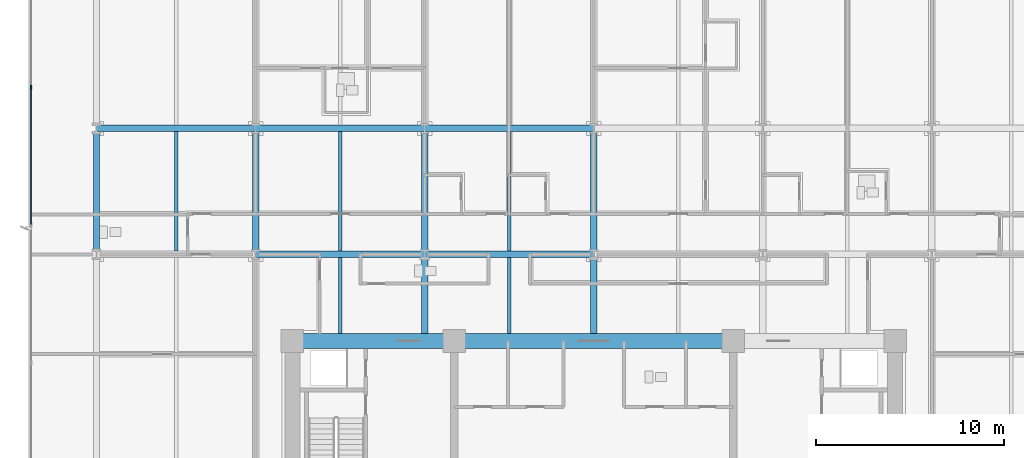
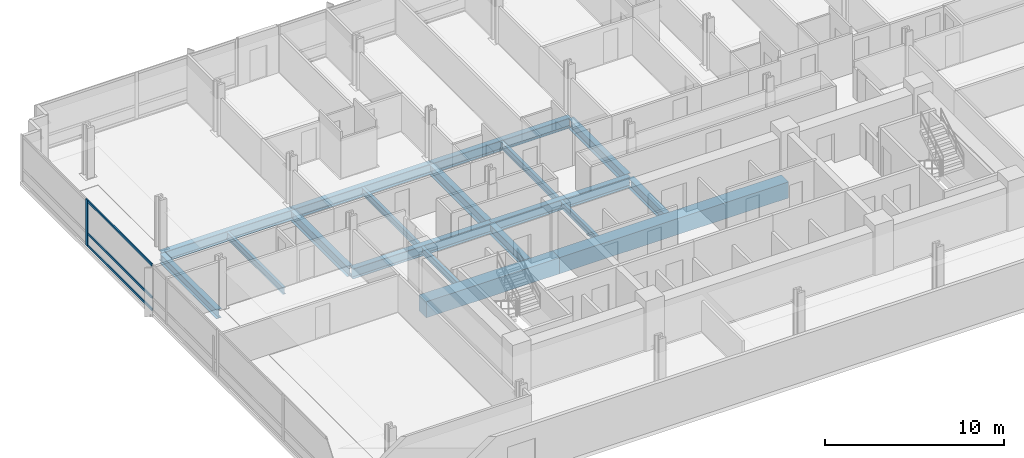
# One storey, part 3 of 15: 18 beams, 4 members, 1 element without a shape of its own.
"""IFC4 building model written with IfcOpenShell, lengths in metres."""

from ifc_helpers import new_model, si_unit, direction, frame, origin, origin_2d, place, context, subcontext, project, spatial, rectangle, i_section, extrude, material, material_profile, profile_set, type_object, element, aggregate, save


model = new_model("IFC4")

# Units and contexts
model_context = context("Model", 3, precision=1e-05, world=origin(), true_north=direction((0.0, 1.0)))
body_context = subcontext(model_context, "Body", "Model", "MODEL_VIEW")
ifc_project = project(units=[si_unit("LENGTHUNIT", "METRE"), si_unit("AREAUNIT", "SQUARE_METRE"), si_unit("VOLUMEUNIT", "CUBIC_METRE"), si_unit("PLANEANGLEUNIT", "RADIAN"), si_unit("MASSUNIT", "GRAM", prefix="KILO")], contexts=[model_context])

# Site, building, storey
site_placement = place(None, origin())
site = spatial("IfcSite", under=ifc_project, at=site_placement, CompositionType="ELEMENT")
building_placement = place(site_placement, origin())
building = spatial("IfcBuilding", under=site, at=building_placement, Name="Solmavex Isthmus Hotel", CompositionType="ELEMENT")
storey_placement = place(building_placement, frame((0.0, 0.0, 64.35009765625)))
storey = spatial("IfcBuildingStorey", under=building, at=storey_placement, Name="L17", CompositionType="ELEMENT", Elevation=64.35009765625)

# Beams
ifc_material_1 = material(Name="Steel ASTM A992 Grade 50", Category="steel")
ifc_material_profile_1 = material_profile(ifc_material_1, i_section(OverallWidth=0.354736328125, OverallDepth=0.695556640625, WebThickness=0.015380859375, FlangeThickness=0.02490234375, FilletRadius=0.017822265625, at=origin_2d()), Name="W27X146")
ifc_profile_set_1 = profile_set([ifc_material_profile_1], Name="Steel ASTM A992 Grade 50")
beam_type_1 = type_object("IfcBeamType", Name="BM-BG-W27X146", PredefinedType="BEAM", material=ifc_profile_set_1)
beam_1_placement = place(storey_placement, frame((-17.951904296875, 2.10009765625, -0.60791015625), z_axis=(1.0, 0.0, 0.0), x_axis=(0.0, 1.0, 0.0)))
element("IfcBeam", 1, at=beam_1_placement, inside=storey, type_object=beam_type_1, Name="Floor Girder L17-UG08", PredefinedType="BEAM", context=body_context, shape_type="SweptSolid", body=[
    extrude(i_section(OverallWidth=0.354736328125, OverallDepth=0.695556640625, WebThickness=0.015380859375, FlangeThickness=0.02490234375, FilletRadius=0.017822265625, at=origin_2d()), origin(), (0.0, 0.0, 1.0), 8.975830078125),
])
beam_2_placement = place(storey_placement, frame((-8.97607421875, 2.10009765625, -0.60791015625), z_axis=(1.0, 0.0, 0.0), x_axis=(0.0, 1.0, 0.0)))
element("IfcBeam", 2, at=beam_2_placement, inside=storey, type_object=beam_type_1, Name="Floor Girder L17-UG09", PredefinedType="BEAM", context=body_context, shape_type="SweptSolid", body=[
    extrude(i_section(OverallWidth=0.354736328125, OverallDepth=0.695556640625, WebThickness=0.015380859375, FlangeThickness=0.02490234375, FilletRadius=0.017822265625, at=origin_2d()), origin(), (0.0, 0.0, 1.0), 8.97607421875),
])
beam_3_placement = place(storey_placement, frame((-26.39990234375, 8.7880859375, -0.60791015625), z_axis=(1.0, 0.0, 0.0), x_axis=(0.0, 1.0, 0.0)))
element("IfcBeam", 3, at=beam_3_placement, inside=storey, type_object=beam_type_1, Name="Floor Girder L17-UG13", PredefinedType="BEAM", context=body_context, shape_type="SweptSolid", body=[
    extrude(i_section(OverallWidth=0.354736328125, OverallDepth=0.695556640625, WebThickness=0.015380859375, FlangeThickness=0.02490234375, FilletRadius=0.017822265625, at=origin_2d()), origin(), (0.0, 0.0, 1.0), 8.447998046875),
])
beam_4_placement = place(storey_placement, frame((-17.951904296875, 8.7880859375, -0.60791015625), z_axis=(1.0, 0.0, 0.0), x_axis=(0.0, 1.0, 0.0)))
element("IfcBeam", 4, at=beam_4_placement, inside=storey, type_object=beam_type_1, Name="Floor Girder L17-UG14", PredefinedType="BEAM", context=body_context, shape_type="SweptSolid", body=[
    extrude(i_section(OverallWidth=0.354736328125, OverallDepth=0.695556640625, WebThickness=0.015380859375, FlangeThickness=0.02490234375, FilletRadius=0.017822265625, at=origin_2d()), origin(), (0.0, 0.0, 1.0), 8.975830078125),
])
beam_5_placement = place(storey_placement, frame((-8.97607421875, 8.7880859375, -0.60791015625), z_axis=(1.0, 0.0, 0.0), x_axis=(0.0, 1.0, 0.0)))
element("IfcBeam", 5, at=beam_5_placement, inside=storey, type_object=beam_type_1, Name="Floor Girder L17-UG15", PredefinedType="BEAM", context=body_context, shape_type="SweptSolid", body=[
    extrude(i_section(OverallWidth=0.354736328125, OverallDepth=0.695556640625, WebThickness=0.015380859375, FlangeThickness=0.02490234375, FilletRadius=0.017822265625, at=origin_2d()), origin(), (0.0, 0.0, 1.0), 8.97607421875),
])
beam_6_placement = place(storey_placement, frame((-17.951904296875, 2.27734375, -0.60791015625), z_axis=(0.0, 1.0, 0.0), x_axis=(-1.0, 0.0, 0.0)))
element("IfcBeam", 6, at=beam_6_placement, inside=storey, type_object=beam_type_1, Name="Floor Beam L17-VG29", PredefinedType="BEAM", context=body_context, shape_type="SweptSolid", body=[
    extrude(i_section(OverallWidth=0.354736328125, OverallDepth=0.695556640625, WebThickness=0.015380859375, FlangeThickness=0.02490234375, FilletRadius=0.017822265625, at=origin_2d()), origin(), (0.0, 0.0, 1.0), 6.333251953125),
])
beam_7_placement = place(storey_placement, frame((-8.97607421875, -2.10009765625, -0.60791015625), z_axis=(0.0, 1.0, 0.0), x_axis=(-1.0, 0.0, 0.0)))
element("IfcBeam", 7, at=beam_7_placement, inside=storey, type_object=beam_type_1, Name="Floor Beam L17-VG32", PredefinedType="BEAM", context=body_context, shape_type="SweptSolid", body=[
    extrude(i_section(OverallWidth=0.354736328125, OverallDepth=0.695556640625, WebThickness=0.015380859375, FlangeThickness=0.02490234375, FilletRadius=0.017822265625, at=origin_2d()), origin(), (0.0, 0.0, 1.0), 4.022705078125),
])
beam_8_placement = place(storey_placement, frame((-8.97607421875, 2.27734375, -0.60791015625), z_axis=(0.0, 1.0, 0.0), x_axis=(-1.0, 0.0, 0.0)))
element("IfcBeam", 8, at=beam_8_placement, inside=storey, type_object=beam_type_1, Name="Floor Beam L17-VG33", PredefinedType="BEAM", context=body_context, shape_type="SweptSolid", body=[
    extrude(i_section(OverallWidth=0.354736328125, OverallDepth=0.695556640625, WebThickness=0.015380859375, FlangeThickness=0.02490234375, FilletRadius=0.017822265625, at=origin_2d()), origin(), (0.0, 0.0, 1.0), 6.333251953125),
])
beam_9_placement = place(storey_placement, frame((0.0, -2.10009765625, -0.60791015625), z_axis=(0.0, 1.0, 0.0), x_axis=(-1.0, 0.0, 0.0)))
element("IfcBeam", 9, at=beam_9_placement, inside=storey, type_object=beam_type_1, Name="Floor Beam L17-VG36", PredefinedType="BEAM", context=body_context, shape_type="SweptSolid", body=[
    extrude(i_section(OverallWidth=0.354736328125, OverallDepth=0.695556640625, WebThickness=0.015380859375, FlangeThickness=0.02490234375, FilletRadius=0.017822265625, at=origin_2d()), origin(), (0.0, 0.0, 1.0), 4.022705078125),
])
beam_10_placement = place(storey_placement, frame((0.0, 2.27734375, -0.60791015625), z_axis=(0.0, 1.0, 0.0), x_axis=(-1.0, 0.0, 0.0)))
element("IfcBeam", 10, at=beam_10_placement, inside=storey, type_object=beam_type_1, Name="Floor Beam L17-VG37", PredefinedType="BEAM", context=body_context, shape_type="SweptSolid", body=[
    extrude(i_section(OverallWidth=0.354736328125, OverallDepth=0.695556640625, WebThickness=0.015380859375, FlangeThickness=0.02490234375, FilletRadius=0.017822265625, at=origin_2d()), origin(), (0.0, 0.0, 1.0), 6.333251953125),
])
ifc_material_profile_2 = material_profile(ifc_material_1, i_section(OverallWidth=0.1904296875, OverallDepth=0.456787109375, WebThickness=0.009033203125, FlangeThickness=0.014404296875, FilletRadius=0.0126953125, at=origin_2d()), Name="W18X50")
ifc_profile_set_2 = profile_set([ifc_material_profile_2], Name="Steel ASTM A992 Grade 50")
beam_type_2 = type_object("IfcBeamType", Name="BM-BJ-W18X50", PredefinedType="JOIST", material=ifc_profile_set_2)
beam_11_placement = place(storey_placement, frame((-22.176025390625, 2.27734375, -0.488525390625), z_axis=(0.0, 1.0, 0.0), x_axis=(-1.0, 0.0, 0.0)))
element("IfcBeam", 11, at=beam_11_placement, inside=storey, type_object=beam_type_2, Name="Secondary Floor Joist L17-J02", PredefinedType="JOIST", context=body_context, shape_type="SweptSolid", body=[
    extrude(i_section(OverallWidth=0.1904296875, OverallDepth=0.456787109375, WebThickness=0.009033203125, FlangeThickness=0.014404296875, FilletRadius=0.0126953125, at=origin_2d()), origin(), (0.0, 0.0, 1.0), 6.333251953125),
])
beam_12_placement = place(storey_placement, frame((-13.464111328125, -2.10009765625, -0.488525390625), z_axis=(0.0, 1.0, 0.0), x_axis=(-1.0, 0.0, 0.0)))
element("IfcBeam", 12, at=beam_12_placement, inside=storey, type_object=beam_type_2, Name="Secondary Floor Joist L17-J05", PredefinedType="JOIST", context=body_context, shape_type="SweptSolid", body=[
    extrude(i_section(OverallWidth=0.1904296875, OverallDepth=0.456787109375, WebThickness=0.009033203125, FlangeThickness=0.014404296875, FilletRadius=0.0126953125, at=origin_2d()), origin(), (0.0, 0.0, 1.0), 4.022705078125),
])
beam_13_placement = place(storey_placement, frame((-13.464111328125, 2.27734375, -0.488525390625), z_axis=(0.0, 1.0, 0.0), x_axis=(-1.0, 0.0, 0.0)))
element("IfcBeam", 13, at=beam_13_placement, inside=storey, type_object=beam_type_2, Name="Secondary Floor Joist L17-J06", PredefinedType="JOIST", context=body_context, shape_type="SweptSolid", body=[
    extrude(i_section(OverallWidth=0.1904296875, OverallDepth=0.456787109375, WebThickness=0.009033203125, FlangeThickness=0.014404296875, FilletRadius=0.0126953125, at=origin_2d()), origin(), (0.0, 0.0, 1.0), 6.333251953125),
])
beam_14_placement = place(storey_placement, frame((-4.488037109375, -2.10009765625, -0.488525390625), z_axis=(0.0, 1.0, 0.0), x_axis=(-1.0, 0.0, 0.0)))
element("IfcBeam", 14, at=beam_14_placement, inside=storey, type_object=beam_type_2, Name="Secondary Floor Joist L17-J09", PredefinedType="JOIST", context=body_context, shape_type="SweptSolid", body=[
    extrude(i_section(OverallWidth=0.1904296875, OverallDepth=0.456787109375, WebThickness=0.009033203125, FlangeThickness=0.014404296875, FilletRadius=0.0126953125, at=origin_2d()), origin(), (0.0, 0.0, 1.0), 4.022705078125),
])
beam_15_placement = place(storey_placement, frame((-4.488037109375, 2.27734375, -0.488525390625), z_axis=(0.0, 1.0, 0.0), x_axis=(-1.0, 0.0, 0.0)))
element("IfcBeam", 15, at=beam_15_placement, inside=storey, type_object=beam_type_2, Name="Secondary Floor Joist L17-J10", PredefinedType="JOIST", context=body_context, shape_type="SweptSolid", body=[
    extrude(i_section(OverallWidth=0.1904296875, OverallDepth=0.456787109375, WebThickness=0.009033203125, FlangeThickness=0.014404296875, FilletRadius=0.0126953125, at=origin_2d()), origin(), (0.0, 0.0, 1.0), 6.333251953125),
])
ifc_material_2 = material(Name="Concrete C70/85", Category="concrete")
ifc_material_profile_3 = material_profile(ifc_material_2, rectangle(XDim=0.800048828125, YDim=1.10009765625, at=origin_2d()), Name="RC800X1100")
ifc_profile_set_3 = profile_set([ifc_material_profile_3], Name="Concrete C70/85")
beam_type_3 = type_object("IfcBeamType", Name="BM-CB-800X1100", PredefinedType="BEAM", material=ifc_profile_set_3)
beam_16_placement = place(storey_placement, frame((-16.0, -2.5, -0.81005859375), z_axis=(1.0, 0.0, 0.0), x_axis=(0.0, 1.0, 0.0)))
element("IfcBeam", 16, at=beam_16_placement, inside=storey, type_object=beam_type_3, Name="Core Coupling Beam L17-CB4", PredefinedType="BEAM", context=body_context, shape_type="SweptSolid", body=[
    extrude(rectangle(XDim=0.800048828125, YDim=1.10009765625, at=origin_2d()), origin(), (0.0, 0.0, 1.0), 8.60009765625),
])
beam_17_placement = place(storey_placement, frame((-7.39990234375, -2.5, -0.81005859375), z_axis=(1.0, 0.0, 0.0), x_axis=(0.0, 1.0, 0.0)))
element("IfcBeam", 17, at=beam_17_placement, inside=storey, type_object=beam_type_3, Name="Core Coupling Beam L17-CB5", PredefinedType="BEAM", context=body_context, shape_type="SweptSolid", body=[
    extrude(rectangle(XDim=0.800048828125, YDim=1.10009765625, at=origin_2d()), origin(), (0.0, 0.0, 1.0), 14.7998046875),
])
ifc_material_profile_4 = material_profile(ifc_material_1, i_section(OverallWidth=0.326416015625, OverallDepth=0.621826171875, WebThickness=0.015380859375, FlangeThickness=0.0244140625, FilletRadius=0.01513671875, at=origin_2d()), Name="W24X131")
ifc_profile_set_4 = profile_set([ifc_material_profile_4], Name="Steel ASTM A992 Grade 50")
beam_type_4 = type_object("IfcBeamType", Name="BM-SP-W24X131", PredefinedType="SPANDREL", material=ifc_profile_set_4)
beam_18_placement = place(storey_placement, frame((-26.39990234375, 2.27734375, -0.571044921875), z_axis=(0.0, 1.0, 0.0), x_axis=(-1.0, 0.0, 0.0)))
element("IfcBeam", 18, at=beam_18_placement, inside=storey, type_object=beam_type_4, Name="Floor Beam L17-VG26", PredefinedType="SPANDREL", context=body_context, shape_type="SweptSolid", body=[
    extrude(i_section(OverallWidth=0.326416015625, OverallDepth=0.621826171875, WebThickness=0.015380859375, FlangeThickness=0.0244140625, FilletRadius=0.01513671875, at=origin_2d()), origin(), (0.0, 0.0, 1.0), 6.333251953125),
])

# Curtain wall, members
ifc_material_3 = material(Name="Aluminium alloy 6063-T6", Category="aluminium")
curtain_wall_type = type_object("IfcCurtainWallType", Name="CW-SYS-02", PredefinedType="NOTDEFINED", material=ifc_material_3)
curtain_wall_placement = place(storey_placement, origin())
curtain_wall = element("IfcCurtainWall", 19, at=curtain_wall_placement, inside=storey, type_object=curtain_wall_type, Name="Stick Curtain Wall CWL-L17-W1", PredefinedType="NOTDEFINED")
ifc_material_profile_5 = material_profile(ifc_material_3, rectangle(XDim=0.074951171875, YDim=0.219970703125, at=origin_2d()), Name="CWM-75X220")
ifc_profile_set_5 = profile_set([ifc_material_profile_5], Name="Aluminium alloy 6063-T6")
member_type_1 = type_object("IfcMemberType", Name="CW-SYS-02-MUL", PredefinedType="MULLION", material=ifc_profile_set_5)
member_1_placement = place(storey_placement, frame((-29.8798828125, 10.97998046875, 0.0), z_axis=(0.0, 0.0, 1.0), x_axis=(-1.0, 0.0, 0.0)))
member_1 = element("IfcMember", 20, at=member_1_placement, type_object=member_type_1, Name="CW-02 mullion 5", PredefinedType="MULLION", context=body_context, shape_type="SweptSolid", body=[
    extrude(rectangle(XDim=0.074951171875, YDim=0.219970703125, at=origin_2d()), origin(), (0.0, 0.0, 1.0), 3.18994140625),
])
ifc_material_profile_6 = material_profile(ifc_material_3, rectangle(XDim=0.074951171875, YDim=0.159912109375, at=origin_2d()), Name="CWT-75X160")
ifc_profile_set_6 = profile_set([ifc_material_profile_6], Name="Aluminium alloy 6063-T6")
member_type_2 = type_object("IfcMemberType", Name="CW-SYS-02-TRN", PredefinedType="USERDEFINED", material=ifc_profile_set_6)
member_2_placement = place(storey_placement, frame((-29.8798828125, 3.697509765625, 0.079833984375), z_axis=(0.0, 1.0, 0.0), x_axis=(-1.0, 0.0, 0.0)))
member_2 = element("IfcMember", 21, at=member_2_placement, type_object=member_type_2, Name="CW-02 transom 4.1", ObjectType="TRANSOM", PredefinedType="USERDEFINED", context=body_context, shape_type="SweptSolid", body=[
    extrude(rectangle(XDim=0.074951171875, YDim=0.159912109375, at=origin_2d()), origin(), (0.0, 0.0, 1.0), 7.244873046875),
])
member_3_placement = place(storey_placement, frame((-29.8798828125, 3.697509765625, 0.89990234375), z_axis=(0.0, 1.0, 0.0), x_axis=(-1.0, 0.0, 0.0)))
member_3 = element("IfcMember", 22, at=member_3_placement, type_object=member_type_2, Name="CW-02 transom 4.2", ObjectType="TRANSOM", PredefinedType="USERDEFINED", context=body_context, shape_type="SweptSolid", body=[
    extrude(rectangle(XDim=0.074951171875, YDim=0.159912109375, at=origin_2d()), origin(), (0.0, 0.0, 1.0), 7.244873046875),
])
member_4_placement = place(storey_placement, frame((-29.8798828125, 3.697509765625, 3.10986328125), z_axis=(0.0, 1.0, 0.0), x_axis=(-1.0, 0.0, 0.0)))
member_4 = element("IfcMember", 23, at=member_4_placement, type_object=member_type_2, Name="CW-02 transom 4.3", ObjectType="TRANSOM", PredefinedType="USERDEFINED", context=body_context, shape_type="SweptSolid", body=[
    extrude(rectangle(XDim=0.074951171875, YDim=0.159912109375, at=origin_2d()), origin(), (0.0, 0.0, 1.0), 7.244873046875),
])
aggregate(curtain_wall, [member_1, member_2, member_3, member_4])

save(model, "model.ifc")
